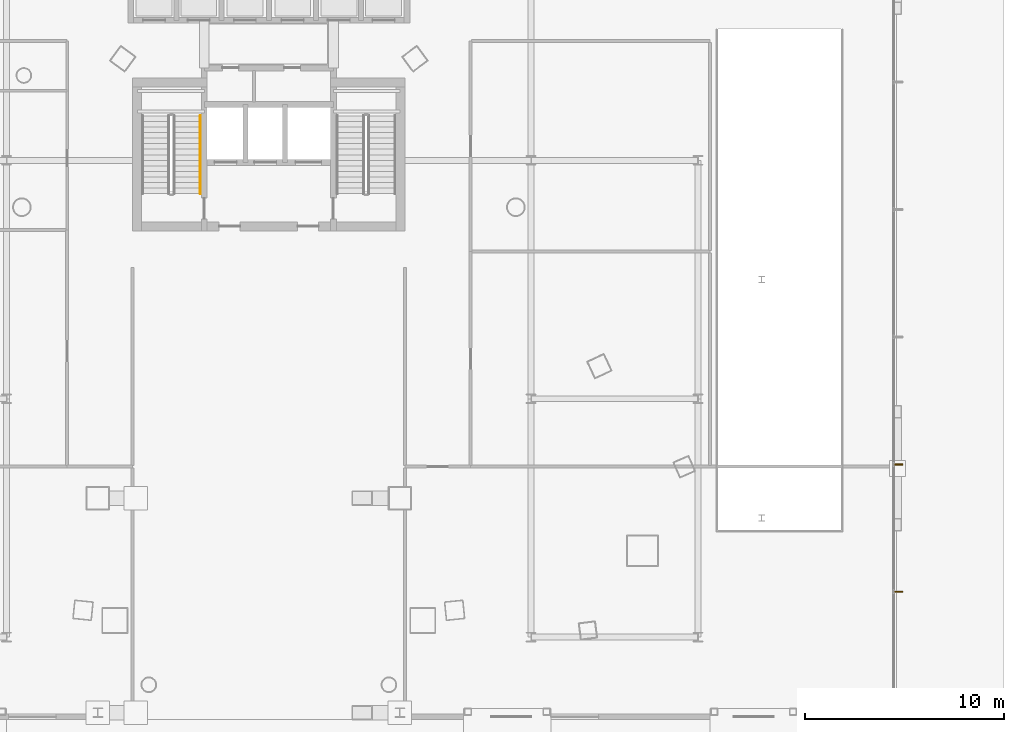
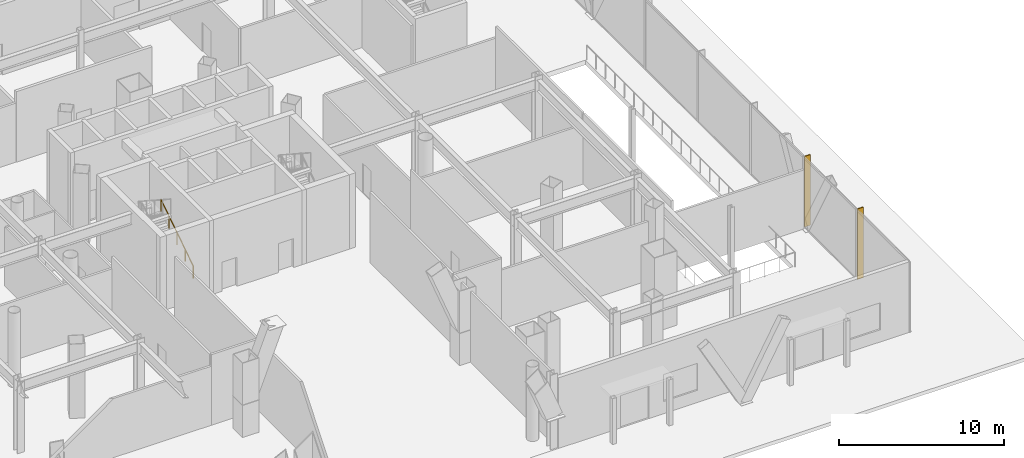
# One storey, part 32 of 38: 2 shading devices, 1 railing.
"""IFC4 building model written with IfcOpenShell, lengths in metres."""

from ifc_helpers import new_model, si_unit, direction, frame, origin, origin_2d, place, context, subcontext, project, spatial, rectangle, circle, extrude, material, layer, layer_set, type_object, element, save


model = new_model("IFC4")

# Units and contexts
model_context = context("Model", 3, precision=1e-05, world=origin(), true_north=direction((0.0, 1.0)))
body_context = subcontext(model_context, "Body", "Model", "MODEL_VIEW")
ifc_project = project(units=[si_unit("LENGTHUNIT", "METRE"), si_unit("AREAUNIT", "SQUARE_METRE"), si_unit("VOLUMEUNIT", "CUBIC_METRE"), si_unit("PLANEANGLEUNIT", "RADIAN"), si_unit("MASSUNIT", "GRAM", prefix="KILO")], contexts=[model_context])

# Site, building, storey
site_placement = place(None, origin())
site = spatial("IfcSite", under=ifc_project, at=site_placement, CompositionType="ELEMENT")
building_placement = place(site_placement, origin())
building = spatial("IfcBuilding", under=site, at=building_placement, Name="Orvanel Arch Residences", CompositionType="ELEMENT")
storey_placement = place(building_placement, origin())
storey = spatial("IfcBuildingStorey", under=building, at=storey_placement, Name="L00", CompositionType="ELEMENT", Elevation=0.0)

# Shading devices
ifc_material_1 = material(Name="Bronze-anodised aluminium AA6063-T6", Category="aluminium")
ifc_layer = layer(ifc_material_1, 0.06494140625)
ifc_layer_set = layer_set([ifc_layer], Name="Bronze-anodised aluminium AA6063-T6")
shading_device_type = type_object("IfcShadingDeviceType", Name="FIN-BRZ-420", PredefinedType="USERDEFINED", material=ifc_layer_set)
for number, where, z_axis, x_axis, name in (
    (1, (64.68994140625, 8.283935546875, 0.0), (0.0, 0.0, 1.0), (1.0, 0.0, 0.0), "L00 Anodised Bronze Mullion FIN 01"),
    (2, (64.68994140625, 14.697998046875, 0.0), (0.0, 0.0, 1.0), (1.0, 0.0, 0.0), "L00 Anodised Bronze Mullion FIN 02"),
):
    element("IfcShadingDevice", number, at=place(storey_placement, frame(where, z_axis=z_axis, x_axis=x_axis)), inside=storey, type_object=shading_device_type, Name=name, ObjectType="FIN", PredefinedType="USERDEFINED", context=body_context, shape_type="SweptSolid", body=[
        extrude(rectangle(XDim=0.419921875, YDim=0.06494140625, at=origin_2d()), origin(), (0.0, 0.0, 1.0), 5.219970703125),
    ])

# Railing
ifc_material_2 = material(Name="Structural steel AS/NZS 1163 C350L0 (Grade 350)", Category="steel")
railing_type = type_object("IfcRailingType", Name="RL-STAIR-HAND", PredefinedType="HANDRAIL", material=ifc_material_2)
railing_placement = place(storey_placement, frame((29.550048828125, 28.320068359375, 0.183349609375)))
element("IfcRailing", 3, at=railing_placement, inside=storey, type_object=railing_type, Name="L00 ST-1 stair handrail 1", PredefinedType="HANDRAIL", context=body_context, shape_type="SweptSolid", body=[
    extrude(circle(Radius=0.02392578125, at=origin_2d()), frame((0.0, 0.001220703125, 0.876708984375), z_axis=(0.0, 0.836615117243, 0.547791151444), x_axis=(-1.0, 0.0, 0.0)), (0.0, 0.0, 1.0), 4.682373046875),
    extrude(circle(Radius=0.02099609375, at=origin_2d()), origin(), (0.0, 0.0, 1.0), 0.849853515625),
    extrude(circle(Radius=0.02099609375, at=origin_2d()), frame((0.0, 0.97998046875, 0.6416015625)), (0.0, 0.0, 1.0), 0.849853515625),
    extrude(circle(Radius=0.02099609375, at=origin_2d()), frame((0.0, 1.9599609375, 1.283203125)), (0.0, 0.0, 1.0), 0.849853515625),
    extrude(circle(Radius=0.02099609375, at=origin_2d()), frame((0.0, 2.93994140625, 1.925048828125)), (0.0, 0.0, 1.0), 0.849853515625),
    extrude(circle(Radius=0.02099609375, at=origin_2d()), frame((0.0, 3.919921875, 2.566650390625)), (0.0, 0.0, 1.0), 0.849853515625),
])

save(model, "model.ifc")
